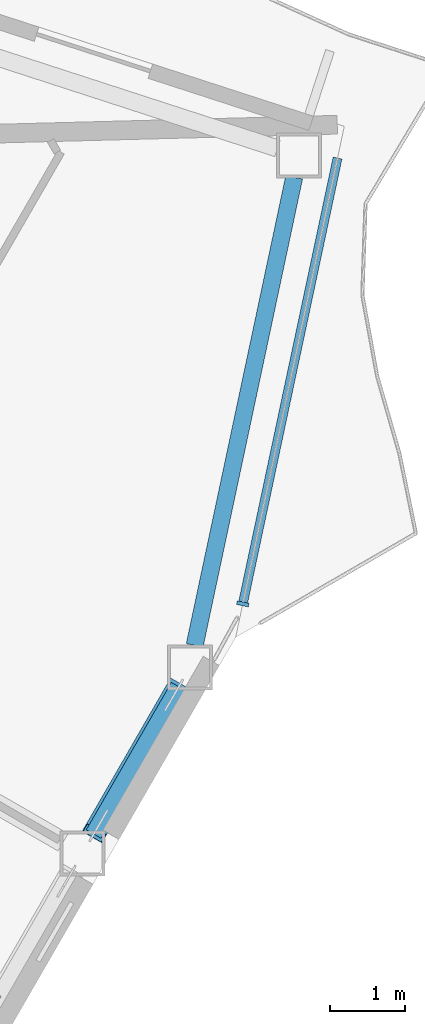
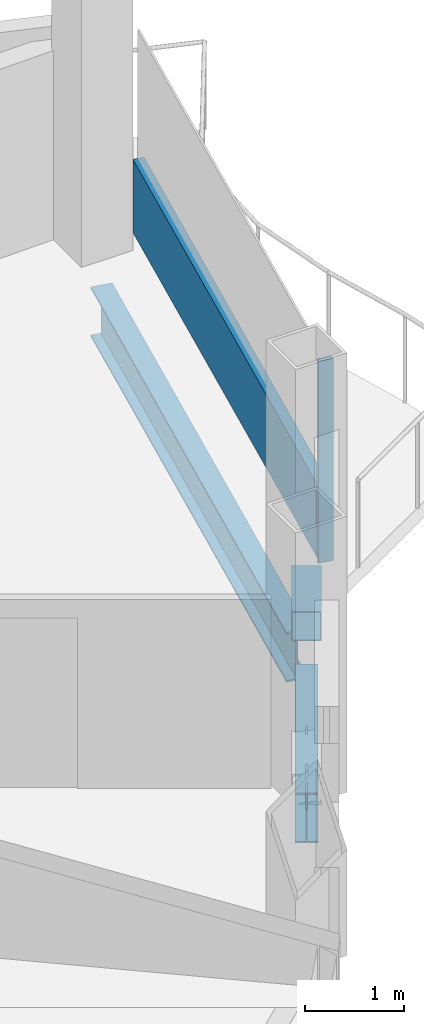
# One storey, part 8 of 28: 3 members, 2 beams, 1 element without a shape of its own.
"""IFC4 building model written with IfcOpenShell, lengths in metres."""

from ifc_helpers import new_model, si_unit, direction, frame, origin, origin_2d, place, context, subcontext, project, spatial, rectangle, hollow_rectangle, i_section, extrude, material, layer, layer_set, material_profile, profile_set, type_object, element, aggregate, save


model = new_model("IFC4")

# Units and contexts
model_context = context("Model", 3, precision=1e-05, world=origin(), true_north=direction((0.0, 1.0)))
body_context = subcontext(model_context, "Body", "Model", "MODEL_VIEW")
ifc_project = project(units=[si_unit("LENGTHUNIT", "METRE"), si_unit("AREAUNIT", "SQUARE_METRE"), si_unit("VOLUMEUNIT", "CUBIC_METRE"), si_unit("PLANEANGLEUNIT", "RADIAN"), si_unit("MASSUNIT", "GRAM", prefix="KILO")], contexts=[model_context])

# Site, building, storey
site_placement = place(None, origin())
site = spatial("IfcSite", under=ifc_project, at=site_placement, CompositionType="ELEMENT")
building_placement = place(site_placement, origin())
building = spatial("IfcBuilding", under=site, at=building_placement, Name="Cormorant Prow Tower", CompositionType="ELEMENT")
storey_placement = place(building_placement, frame((0.0, 0.0, 305.199951171875)))
storey = spatial("IfcBuildingStorey", under=building, at=storey_placement, Name="L66", CompositionType="ELEMENT", Elevation=305.199951171875)

# Member
ifc_material_1 = material(Name="Structural steel ASTM A500 Gr C", Category="steel")
ifc_material_profile_1 = material_profile(ifc_material_1, hollow_rectangle(XDim=0.3046875, YDim=0.3046875, WallThickness=0.01171875, at=origin_2d()), Name="HSS12x12x1/2")
ifc_profile_set_1 = profile_set([ifc_material_profile_1], Name="Structural steel ASTM A500 Gr C")
member_type_1 = type_object("IfcMemberType", Name="Chamfer brace HSS12x12x1/2", PredefinedType="BRACE", material=ifc_profile_set_1)
member_1_placement = place(storey_placement, frame((28.711669921875, -13.621826171875, 0.7412109375), z_axis=(-0.456265706889, -0.790324476185, 0.408911759503), x_axis=(0.866038851724, -0.499976706761, 0.0)))
element("IfcMember", 1, at=member_1_placement, inside=storey, type_object=member_type_1, Name="Chamfer brace BR3 at ESE01 L66", PredefinedType="BRACE", context=body_context, shape_type="SweptSolid", body=[
    extrude(hollow_rectangle(XDim=0.3046875, YDim=0.3046875, WallThickness=0.01171875, at=origin_2d()), origin(), (0.0, 0.0, 1.0), 2.459228515625),
])

# Curtain wall, members
ifc_material_2 = material(Name="Aluminium 6063-T6", Category="aluminium")
ifc_layer = layer(ifc_material_2, 0.159912109375)
ifc_layer_set = layer_set([ifc_layer], Name="Aluminium 6063-T6")
curtain_wall_type = type_object("IfcCurtainWallType", Name="Residential unitised curtain wall 160", PredefinedType="NOTDEFINED", material=ifc_layer_set)
curtain_wall_placement = place(storey_placement, origin())
curtain_wall = element("IfcCurtainWall", 2, at=curtain_wall_placement, inside=storey, type_object=curtain_wall_type, Name="Residential curtain wall ENE00", PredefinedType="NOTDEFINED")
ifc_material_3 = material(Name="Aluminium 6063-T6", Category="aluminium")
ifc_material_profile_2 = material_profile(ifc_material_3, rectangle(XDim=0.159912109375, YDim=0.050048828125, at=origin_2d()), Name="Residential mullion 50x160")
ifc_profile_set_2 = profile_set([ifc_material_profile_2], Name="Aluminium 6063-T6")
member_type_2 = type_object("IfcMemberType", Name="Residential mullion 50x160", PredefinedType="MULLION", material=ifc_profile_set_2)
member_2_placement = place(storey_placement, frame((29.574951171875, -12.5009765625, 0.0), z_axis=(0.0, 0.0, 1.0), x_axis=(-0.97814757141, 0.207911828776, 0.0)))
member_2 = element("IfcMember", 3, at=member_2_placement, type_object=member_type_2, Name="Residential mullion ENE00", PredefinedType="MULLION", context=body_context, shape_type="SweptSolid", body=[
    extrude(rectangle(XDim=0.159912109375, YDim=0.050048828125, at=origin_2d()), origin(), (0.0, 0.0, 1.0), 2.488037109375),
])
ifc_material_4 = material(Name="Terracotta", Category="masonry")
ifc_material_profile_3 = material_profile(ifc_material_4, rectangle(XDim=0.1201171875, YDim=0.89990234375, at=origin_2d()), Name="Residential terracotta spandrel rail 120x900")
ifc_profile_set_3 = profile_set([ifc_material_profile_3], Name="Terracotta")
member_type_3 = type_object("IfcMemberType", Name="Residential terracotta spandrel rail 120x900", PredefinedType="USERDEFINED", material=ifc_profile_set_3)
member_3_placement = place(storey_placement, frame((29.580078125, -12.4765625, 0.449951171875), z_axis=(0.207918432162, 0.978146167793, 0.0), x_axis=(-0.978146167793, 0.207918432162, 0.0)))
member_3 = element("IfcMember", 4, at=member_3_placement, type_object=member_type_3, Name="Residential spandrel rail ENE00", ObjectType="TRANSOM", PredefinedType="USERDEFINED", context=body_context, shape_type="SweptSolid", body=[
    extrude(rectangle(XDim=0.1201171875, YDim=0.89990234375, at=origin_2d()), origin(), (0.0, 0.0, 1.0), 6.067138671875),
])
aggregate(curtain_wall, [member_2, member_3])

# Beams
ifc_material_5 = material(Name="Structural steel ASTM A992 Gr 50", Category="steel")
ifc_material_profile_4 = material_profile(ifc_material_5, i_section(OverallWidth=0.22900390625, OverallDepth=0.612060546875, WebThickness=0.011962890625, FlangeThickness=0.01953125, at=origin_2d()), Name="W24x84")
ifc_profile_set_4 = profile_set([ifc_material_profile_4], Name="Structural steel ASTM A992 Gr 50")
beam_type = type_object("IfcBeamType", Name="Spandrel beam W24x84", PredefinedType="SPANDREL", material=ifc_profile_set_4)
beam_1_placement = place(storey_placement, frame((27.582275390625, -15.578125, -0.60595703125), z_axis=(0.500053962254, 0.865994246421, 0.0), x_axis=(-0.865994246421, 0.500053962254, 0.0)))
element("IfcBeam", 5, at=beam_1_placement, inside=storey, type_object=beam_type, Name="Spandrel beam SB3 ESE01-ENE00 L66", PredefinedType="SPANDREL", context=body_context, shape_type="SweptSolid", body=[
    extrude(i_section(OverallWidth=0.22900390625, OverallDepth=0.612060546875, WebThickness=0.011962890625, FlangeThickness=0.01953125, at=origin_2d()), origin(), (0.0, 0.0, 1.0), 2.273681640625),
])
beam_2_placement = place(storey_placement, frame((28.931640625, -13.055908203125, -0.60595703125), z_axis=(0.20791262393, 0.978147402394, 0.0), x_axis=(-0.978147402394, 0.20791262393, 0.0)))
element("IfcBeam", 6, at=beam_2_placement, inside=storey, type_object=beam_type, Name="Spandrel beam SB3 ENE00-ENE01 L66", PredefinedType="SPANDREL", context=body_context, shape_type="SweptSolid", body=[
    extrude(i_section(OverallWidth=0.22900390625, OverallDepth=0.612060546875, WebThickness=0.011962890625, FlangeThickness=0.01953125, at=origin_2d()), origin(), (0.0, 0.0, 1.0), 6.396240234375),
])

save(model, "model.ifc")
